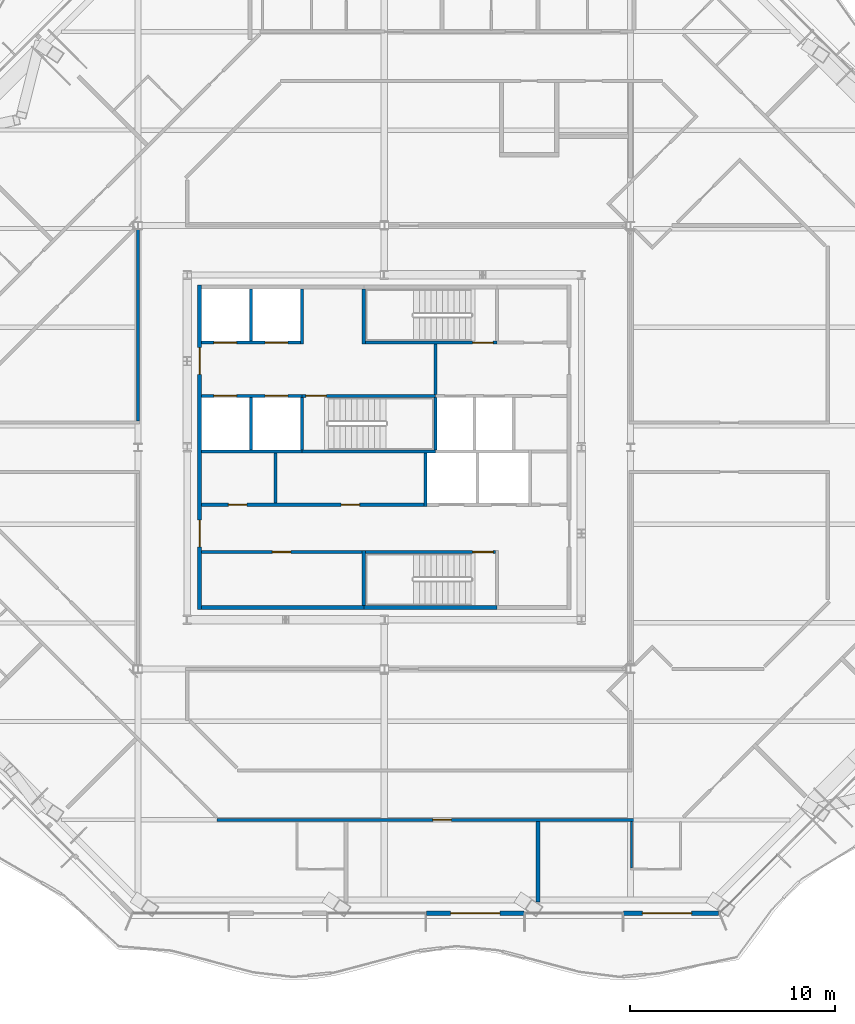
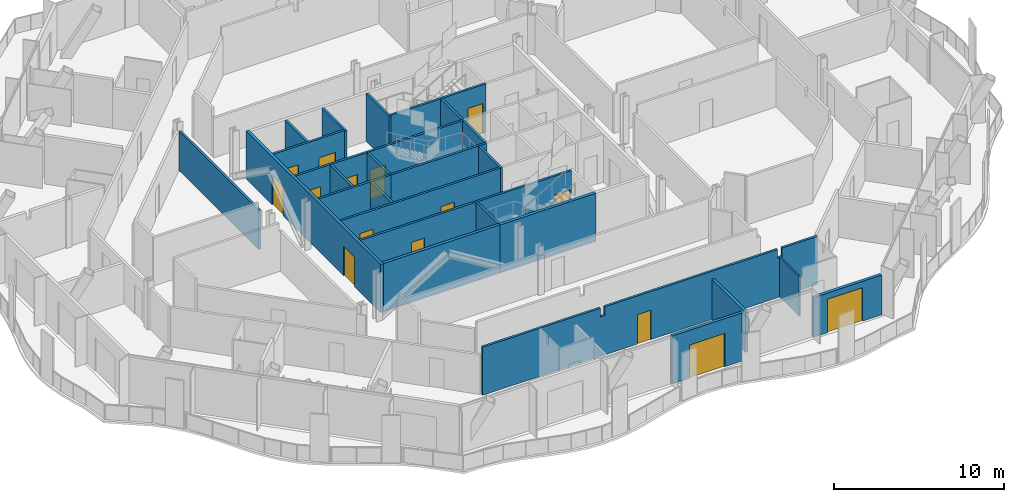
# One storey, part 8 of 21: 28 walls, 15 doors, 15 openings.
"""IFC4 building model written with IfcOpenShell, lengths in metres."""

from ifc_helpers import new_model, si_unit, direction, frame, frame_2d, origin, place, context, subcontext, project, spatial, polyline, rectangle, outline, extrude, material, layer, layer_set, type_object, element, fill, save


model = new_model("IFC4")

# Units and contexts
model_context = context("Model", 3, precision=1e-05, world=origin(), true_north=direction((0.0, 1.0)))
body_context = subcontext(model_context, "Body", "Model", "MODEL_VIEW")
ifc_project = project(units=[si_unit("LENGTHUNIT", "METRE"), si_unit("AREAUNIT", "SQUARE_METRE"), si_unit("VOLUMEUNIT", "CUBIC_METRE"), si_unit("PLANEANGLEUNIT", "RADIAN"), si_unit("MASSUNIT", "GRAM", prefix="KILO")], contexts=[model_context])

# Site, building, storey
site_placement = place(None, origin())
site = spatial("IfcSite", under=ifc_project, at=site_placement, CompositionType="ELEMENT")
building_placement = place(site_placement, origin())
building = spatial("IfcBuilding", under=site, at=building_placement, Name="Cairn Pilgrim Tower", CompositionType="ELEMENT")
storey_placement = place(building_placement, frame((0.0, 0.0, 183.0)))
storey = spatial("IfcBuildingStorey", under=building, at=storey_placement, Name="L46", CompositionType="ELEMENT", Elevation=183.0)

# Wall, opening, door
ifc_material_1 = material(Name="Bronze anodised aluminium insulated sandwich panel with mineral wool fill", Category="aluminium")
ifc_layer_1 = layer(ifc_material_1, 0.199951171875)
ifc_layer_set_1 = layer_set([ifc_layer_1], Name="BRONZE INFILL FRAME WALL 200")
wall_type_1 = type_object("IfcWallType", Name="BRONZE INFILL FRAME WALL 200", PredefinedType="NOTDEFINED", material=ifc_layer_set_1)
wall_1_placement = place(storey_placement, frame((9.2548828125, -20.300048828125, 0.0), z_axis=(0.0, 0.0, 1.0), x_axis=(1.0, 0.0, 0.0)))
wall_1 = element("IfcWall", 1, at=wall_1_placement, inside=storey, type_object=wall_type_1, Name="Bronze infill frame wall IW-S4", PredefinedType="NOTDEFINED", context=body_context, shape_type="SweptSolid", body=[
    extrude(rectangle(XDim=4.740234375, YDim=0.199951171875, at=frame_2d((2.3701171875, 0.0))), origin(), (0.0, 0.0, 1.0), 3.449951171875),
])
opening_1_placement = place(wall_1_placement, frame((1.169921875, 0.0, 0.0)))
opening_1 = element("IfcOpeningElement", 2, at=opening_1_placement, cuts=wall_1, Name="Opening 4601B", PredefinedType="OPENING", context=body_context, shape_type="SweptSolid", body=[
    extrude(rectangle(XDim=2.39990234375, YDim=2.39990234375, at=frame_2d((1.199951171875, 1.199951171875))), frame((0.0, 0.10986328125, 0.0), z_axis=(0.0, -1.0, 0.0), x_axis=(1.0, 0.0, 0.0)), (0.0, 0.0, 1.0), 0.219970703125),
])
ifc_material_2 = material(Name="Bronze anodised aluminium frame with tinted low-E glass", Category="aluminium")
door_type_1 = type_object("IfcDoorType", Name="BALCONY SLIDING DOOR 2400x2400", OperationType="DOUBLE_DOOR_SLIDING", PredefinedType="DOOR", material=ifc_material_2)
door_1_placement = place(opening_1_placement, origin())
door_1 = element("IfcDoor", 3, at=door_1_placement, inside=storey, type_object=door_type_1, Name="Balcony sliding door 4601B", OperationType="SINGLE_SWING_LEFT", OverallHeight=2.39990234375, OverallWidth=2.39990234375, PredefinedType="DOOR", context=body_context, shape_type="SweptSolid", body=[
    extrude(rectangle(XDim=2.39990234375, YDim=2.39990234375, at=frame_2d((1.199951171875, 1.199951171875))), frame((0.0, 0.02490234375, 0.0), z_axis=(0.0, -1.0, 0.0), x_axis=(1.0, 0.0, 0.0)), (0.0, 0.0, 1.0), 0.050048828125),
])
fill(opening_1, door_1)

wall_2_placement = place(storey_placement, frame((18.85498046875, -20.300048828125, 0.0), z_axis=(0.0, 0.0, 1.0), x_axis=(1.0, 0.0, 0.0)))
wall_2 = element("IfcWall", 4, at=wall_2_placement, inside=storey, type_object=wall_type_1, Name="Bronze infill frame wall IW-S6", PredefinedType="NOTDEFINED", context=body_context, shape_type="SweptSolid", body=[
    extrude(rectangle(XDim=4.62646484375, YDim=0.199951171875, at=frame_2d((2.313232421875, 0.0))), origin(), (0.0, 0.0, 1.0), 2.85009765625),
])
opening_2_placement = place(wall_2_placement, frame((0.918212890625, 0.0, 0.0)))
opening_2 = element("IfcOpeningElement", 5, at=opening_2_placement, cuts=wall_2, Name="Opening 4602B", PredefinedType="OPENING", context=body_context, shape_type="SweptSolid", body=[
    extrude(rectangle(XDim=2.39990234375, YDim=2.39990234375, at=frame_2d((1.199951171875, 1.199951171875))), frame((0.0, 0.10986328125, 0.0), z_axis=(0.0, -1.0, 0.0), x_axis=(1.0, 0.0, 0.0)), (0.0, 0.0, 1.0), 0.219970703125),
])
door_2_placement = place(opening_2_placement, origin())
door_2 = element("IfcDoor", 6, at=door_2_placement, inside=storey, type_object=door_type_1, Name="Balcony sliding door 4602B", OperationType="SINGLE_SWING_LEFT", OverallHeight=2.39990234375, OverallWidth=2.39990234375, PredefinedType="DOOR", context=body_context, shape_type="SweptSolid", body=[
    extrude(rectangle(XDim=2.39990234375, YDim=2.39990234375, at=frame_2d((1.199951171875, 1.199951171875))), frame((0.0, 0.02490234375, 0.0), z_axis=(0.0, -1.0, 0.0), x_axis=(1.0, 0.0, 0.0)), (0.0, 0.0, 1.0), 0.050048828125),
])
fill(opening_2, door_2)

# Wall
ifc_material_3 = material(Name="Concrete C32/40", Category="concrete")
ifc_layer_2 = layer(ifc_material_3, 0.199951171875)
ifc_layer_set_2 = layer_set([ifc_layer_2], Name="CORE OUTER WALL 200 EI 120")
wall_type_2 = type_object("IfcWallType", Name="CORE OUTER WALL 200 EI 120", PredefinedType="SOLIDWALL", material=ifc_layer_set_2)
wall_3_placement = place(storey_placement, frame((-1.699951171875, -5.39990234375, 0.0), z_axis=(0.0, 0.0, 1.0), x_axis=(1.0, 0.0, 0.0)))
element("IfcWall", 7, at=wall_3_placement, inside=storey, type_object=wall_type_2, Name="CW:L46:H01-1", PredefinedType="SOLIDWALL", context=body_context, shape_type="SweptSolid", body=[
    extrude(rectangle(XDim=7.89990234375, YDim=0.199951171875, at=frame_2d((3.949951171875, 0.0))), origin(), (0.0, 0.0, 1.0), 3.449951171875),
])

# Wall, openings, doors
wall_4_placement = place(storey_placement, frame((-1.800048828125, -5.5, 0.0), z_axis=(0.0, 0.0, 1.0), x_axis=(0.0, 1.0, 0.0)))
wall_4 = element("IfcWall", 8, at=wall_4_placement, inside=storey, type_object=wall_type_2, Name="CW:L46:V13", PredefinedType="SOLIDWALL", context=body_context, shape_type="SweptSolid", body=[
    extrude(rectangle(XDim=15.800048828125, YDim=0.199951171875, at=frame_2d((7.89990234375, 0.0))), origin(), (0.0, 0.0, 1.0), 3.449951171875),
])
opening_3_placement = place(wall_4_placement, frame((3.050048828125, 0.0, 0.0)))
opening_3 = element("IfcOpeningElement", 9, at=opening_3_placement, cuts=wall_4, Name="Opening CD-W1", PredefinedType="OPENING", context=body_context, shape_type="SweptSolid", body=[
    extrude(rectangle(XDim=1.300048828125, YDim=2.10009765625, at=frame_2d((0.64990234375, 1.050048828125))), frame((0.0, 0.10986328125, 0.0), z_axis=(0.0, -1.0, 0.0), x_axis=(1.0, 0.0, 0.0)), (0.0, 0.0, 1.0), 0.219970703125),
])
opening_4_placement = place(wall_4_placement, frame((11.449951171875, 0.0, 0.0)))
opening_4 = element("IfcOpeningElement", 10, at=opening_4_placement, cuts=wall_4, Name="Opening CD-W2", PredefinedType="OPENING", context=body_context, shape_type="SweptSolid", body=[
    extrude(rectangle(XDim=1.300048828125, YDim=2.10009765625, at=frame_2d((0.64990234375, 1.050048828125))), frame((0.0, 0.10986328125, 0.0), z_axis=(0.0, -1.0, 0.0), x_axis=(1.0, 0.0, 0.0)), (0.0, 0.0, 1.0), 0.219970703125),
])
ifc_material_4 = material(Name="Painted steel", Category="steel")
door_type_2 = type_object("IfcDoorType", Name="CORE LOBBY DOOR 1300x2100", OperationType="DOUBLE_DOOR_SINGLE_SWING", PredefinedType="DOOR", material=ifc_material_4)
door_3_placement = place(opening_3_placement, origin())
door_3 = element("IfcDoor", 11, at=door_3_placement, inside=storey, type_object=door_type_2, Name="CD-W1", OperationType="DOUBLE_DOOR_SINGLE_SWING", OverallHeight=2.10009765625, OverallWidth=1.300048828125, PredefinedType="DOOR", context=body_context, shape_type="SweptSolid", body=[
    extrude(rectangle(XDim=1.300048828125, YDim=2.10009765625, at=frame_2d((0.64990234375, 1.050048828125))), frame((0.0, 0.02490234375, 0.0), z_axis=(0.0, -1.0, 0.0), x_axis=(1.0, 0.0, 0.0)), (0.0, 0.0, 1.0), 0.050048828125),
])
fill(opening_3, door_3)
door_4_placement = place(opening_4_placement, origin())
door_4 = element("IfcDoor", 12, at=door_4_placement, inside=storey, type_object=door_type_2, Name="CD-W2", OperationType="DOUBLE_DOOR_SINGLE_SWING", OverallHeight=2.10009765625, OverallWidth=1.300048828125, PredefinedType="DOOR", context=body_context, shape_type="SweptSolid", body=[
    extrude(rectangle(XDim=1.300048828125, YDim=2.10009765625, at=frame_2d((0.64990234375, 1.050048828125))), frame((0.0, 0.02490234375, 0.0), z_axis=(0.0, -1.0, 0.0), x_axis=(1.0, 0.0, 0.0)), (0.0, 0.0, 1.0), 0.050048828125),
])
fill(opening_4, door_4)

# Wall, opening, door
ifc_layer_3 = layer(ifc_material_3, 0.14990234375)
ifc_layer_set_3 = layer_set([ifc_layer_3], Name="CORE PARTITION 150 EI 60")
wall_type_3 = type_object("IfcWallType", Name="CORE PARTITION 150 EI 60", PredefinedType="PARTITIONING", material=ifc_layer_set_3)
wall_5_placement = place(storey_placement, frame((-1.699951171875, -2.699951171875, 0.0), z_axis=(0.0, 0.0, 1.0), x_axis=(1.0, 0.0, 0.0)))
wall_5 = element("IfcWall", 13, at=wall_5_placement, inside=storey, type_object=wall_type_3, Name="CW:L46:H02", PredefinedType="PARTITIONING", context=body_context, shape_type="SweptSolid", body=[
    extrude(rectangle(XDim=7.824951171875, YDim=0.14990234375, at=frame_2d((3.91259765625, 0.0))), origin(), (0.0, 0.0, 1.0), 3.449951171875),
])
opening_5_placement = place(wall_5_placement, frame((3.449951171875, 0.0, 0.0)))
opening_5 = element("IfcOpeningElement", 14, at=opening_5_placement, cuts=wall_5, Name="Opening RD-R1W1", PredefinedType="OPENING", context=body_context, shape_type="SweptSolid", body=[
    extrude(rectangle(XDim=0.89990234375, YDim=2.10009765625, at=frame_2d((0.449951171875, 1.050048828125))), frame((0.0, 0.0849609375, 0.0), z_axis=(0.0, -1.0, 0.0), x_axis=(1.0, 0.0, 0.0)), (0.0, 0.0, 1.0), 0.169921875),
])
door_type_3 = type_object("IfcDoorType", Name="SERVICE ROOM DOOR 900x2100", OperationType="SINGLE_SWING_LEFT", PredefinedType="DOOR", material=ifc_material_4)
door_5_placement = place(opening_5_placement, origin())
door_5 = element("IfcDoor", 15, at=door_5_placement, inside=storey, type_object=door_type_3, Name="RD-R1W1", OperationType="SINGLE_SWING_LEFT", OverallHeight=2.10009765625, OverallWidth=0.89990234375, PredefinedType="DOOR", context=body_context, shape_type="SweptSolid", body=[
    extrude(rectangle(XDim=0.89990234375, YDim=2.10009765625, at=frame_2d((0.449951171875, 1.050048828125))), frame((0.0, 0.02490234375, 0.0), z_axis=(0.0, -1.0, 0.0), x_axis=(1.0, 0.0, 0.0)), (0.0, 0.0, 1.0), 0.050048828125),
])
fill(opening_5, door_5)

# Wall, openings, doors
wall_6_placement = place(storey_placement, frame((-1.699951171875, -0.39990234375, 0.0), z_axis=(0.0, 0.0, 1.0), x_axis=(1.0, 0.0, 0.0)))
wall_6 = element("IfcWall", 16, at=wall_6_placement, inside=storey, type_object=wall_type_3, Name="CW:L46:H04", PredefinedType="PARTITIONING", context=body_context, shape_type="SweptSolid", body=[
    extrude(rectangle(XDim=10.824951171875, YDim=0.14990234375, at=frame_2d((5.41259765625, 0.0))), origin(), (0.0, 0.0, 1.0), 3.449951171875),
])
opening_6_placement = place(wall_6_placement, frame((1.300048828125, 0.0, 0.0)))
opening_6 = element("IfcOpeningElement", 17, at=opening_6_placement, cuts=wall_6, Name="Opening RD-R2W1", PredefinedType="OPENING", context=body_context, shape_type="SweptSolid", body=[
    extrude(rectangle(XDim=0.89990234375, YDim=2.10009765625, at=frame_2d((0.449951171875, 1.050048828125))), frame((0.0, 0.0849609375, 0.0), z_axis=(0.0, -1.0, 0.0), x_axis=(1.0, 0.0, 0.0)), (0.0, 0.0, 1.0), 0.169921875),
])
opening_7_placement = place(wall_6_placement, frame((6.800048828125, 0.0, 0.0)))
opening_7 = element("IfcOpeningElement", 18, at=opening_7_placement, cuts=wall_6, Name="Opening RD-R2W2", PredefinedType="OPENING", context=body_context, shape_type="SweptSolid", body=[
    extrude(rectangle(XDim=0.89990234375, YDim=2.10009765625, at=frame_2d((0.449951171875, 1.050048828125))), frame((0.0, 0.0849609375, 0.0), z_axis=(0.0, -1.0, 0.0), x_axis=(1.0, 0.0, 0.0)), (0.0, 0.0, 1.0), 0.169921875),
])
door_6_placement = place(opening_6_placement, origin())
door_6 = element("IfcDoor", 19, at=door_6_placement, inside=storey, type_object=door_type_3, Name="RD-R2W1", OperationType="SINGLE_SWING_RIGHT", OverallHeight=2.10009765625, OverallWidth=0.89990234375, PredefinedType="DOOR", context=body_context, shape_type="SweptSolid", body=[
    extrude(rectangle(XDim=0.89990234375, YDim=2.10009765625, at=frame_2d((0.449951171875, 1.050048828125))), frame((0.0, 0.02490234375, 0.0), z_axis=(0.0, -1.0, 0.0), x_axis=(1.0, 0.0, 0.0)), (0.0, 0.0, 1.0), 0.050048828125),
])
fill(opening_6, door_6)
door_7_placement = place(opening_7_placement, origin())
door_7 = element("IfcDoor", 20, at=door_7_placement, inside=storey, type_object=door_type_3, Name="RD-R2W2", OperationType="SINGLE_SWING_LEFT", OverallHeight=2.10009765625, OverallWidth=0.89990234375, PredefinedType="DOOR", context=body_context, shape_type="SweptSolid", body=[
    extrude(rectangle(XDim=0.89990234375, YDim=2.10009765625, at=frame_2d((0.449951171875, 1.050048828125))), frame((0.0, 0.02490234375, 0.0), z_axis=(0.0, -1.0, 0.0), x_axis=(1.0, 0.0, 0.0)), (0.0, 0.0, 1.0), 0.050048828125),
])
fill(opening_7, door_7)

# Walls
wall_7_placement = place(storey_placement, frame((1.89990234375, -0.324951171875, 0.0), z_axis=(0.0, 0.0, 1.0), x_axis=(0.0, 1.0, 0.0)))
element("IfcWall", 21, at=wall_7_placement, inside=storey, type_object=wall_type_3, Name="CW:L46:V16", PredefinedType="PARTITIONING", context=body_context, shape_type="SweptSolid", body=[
    extrude(rectangle(XDim=2.449951171875, YDim=0.14990234375, at=frame_2d((1.22509765625, 0.0))), origin(), (0.0, 0.0, 1.0), 3.449951171875),
])
ifc_layer_4 = layer(ifc_material_3, 0.14990234375)
ifc_layer_set_4 = layer_set([ifc_layer_4], Name="CORE SHAFT WALL 150 EI 120")
wall_type_4 = type_object("IfcWallType", Name="CORE SHAFT WALL 150 EI 120", PredefinedType="SOLIDWALL", material=ifc_layer_set_4)
wall_8_placement = place(storey_placement, frame((-1.699951171875, 2.199951171875, 0.0), z_axis=(0.0, 0.0, 1.0), x_axis=(1.0, 0.0, 0.0)))
element("IfcWall", 22, at=wall_8_placement, inside=storey, type_object=wall_type_4, Name="CW:L46:H07-1", PredefinedType="SOLIDWALL", context=body_context, shape_type="SweptSolid", body=[
    extrude(rectangle(XDim=4.89990234375, YDim=0.14990234375, at=frame_2d((2.449951171875, 0.0))), origin(), (0.0, 0.0, 1.0), 3.449951171875),
])

# Wall, openings, doors
wall_9_placement = place(storey_placement, frame((-1.699951171875, 4.89990234375, 0.0), z_axis=(0.0, 0.0, 1.0), x_axis=(1.0, 0.0, 0.0)))
wall_9 = element("IfcWall", 23, at=wall_9_placement, inside=storey, type_object=wall_type_4, Name="CW:L46:H09-1", PredefinedType="SOLIDWALL", context=body_context, shape_type="SweptSolid", body=[
    extrude(rectangle(XDim=4.89990234375, YDim=0.14990234375, at=frame_2d((2.449951171875, 0.0))), origin(), (0.0, 0.0, 1.0), 3.449951171875),
])
opening_8_placement = place(wall_9_placement, frame((0.60009765625, 0.0, 0.0)))
opening_8 = element("IfcOpeningElement", 24, at=opening_8_placement, cuts=wall_9, Name="Opening LD-HR1", PredefinedType="OPENING", context=body_context, shape_type="SweptSolid", body=[
    extrude(rectangle(XDim=1.10009765625, YDim=2.10009765625, at=frame_2d((0.550048828125, 1.050048828125))), frame((0.0, 0.0849609375, 0.0), z_axis=(0.0, -1.0, 0.0), x_axis=(1.0, 0.0, 0.0)), (0.0, 0.0, 1.0), 0.169921875),
])
opening_9_placement = place(wall_9_placement, frame((3.10009765625, 0.0, 0.0)))
opening_9 = element("IfcOpeningElement", 25, at=opening_9_placement, cuts=wall_9, Name="Opening LD-HR2", PredefinedType="OPENING", context=body_context, shape_type="SweptSolid", body=[
    extrude(rectangle(XDim=1.10009765625, YDim=2.10009765625, at=frame_2d((0.550048828125, 1.050048828125))), frame((0.0, 0.0849609375, 0.0), z_axis=(0.0, -1.0, 0.0), x_axis=(1.0, 0.0, 0.0)), (0.0, 0.0, 1.0), 0.169921875),
])
ifc_material_5 = material(Name="Stainless steel", Category="steel")
door_type_4 = type_object("IfcDoorType", Name="LIFT LANDING DOOR 1100x2100", OperationType="DOUBLE_DOOR_SLIDING", PredefinedType="DOOR", material=ifc_material_5)
door_8_placement = place(opening_8_placement, origin())
door_8 = element("IfcDoor", 26, at=door_8_placement, inside=storey, type_object=door_type_4, Name="LANDING DOOR HR1", OperationType="DOUBLE_DOOR_SLIDING", OverallHeight=2.10009765625, OverallWidth=1.10009765625, PredefinedType="DOOR", context=body_context, shape_type="SweptSolid", body=[
    extrude(rectangle(XDim=1.10009765625, YDim=2.10009765625, at=frame_2d((0.550048828125, 1.050048828125))), frame((0.0, 0.02490234375, 0.0), z_axis=(0.0, -1.0, 0.0), x_axis=(1.0, 0.0, 0.0)), (0.0, 0.0, 1.0), 0.050048828125),
])
fill(opening_8, door_8)
door_9_placement = place(opening_9_placement, origin())
door_9 = element("IfcDoor", 27, at=door_9_placement, inside=storey, type_object=door_type_4, Name="LANDING DOOR HR2", OperationType="DOUBLE_DOOR_SLIDING", OverallHeight=2.10009765625, OverallWidth=1.10009765625, PredefinedType="DOOR", context=body_context, shape_type="SweptSolid", body=[
    extrude(rectangle(XDim=1.10009765625, YDim=2.10009765625, at=frame_2d((0.550048828125, 1.050048828125))), frame((0.0, 0.02490234375, 0.0), z_axis=(0.0, -1.0, 0.0), x_axis=(1.0, 0.0, 0.0)), (0.0, 0.0, 1.0), 0.050048828125),
])
fill(opening_9, door_9)

wall_10_placement = place(storey_placement, frame((-1.699951171875, 7.5, 0.0), z_axis=(0.0, 0.0, 1.0), x_axis=(1.0, 0.0, 0.0)))
wall_10 = element("IfcWall", 28, at=wall_10_placement, inside=storey, type_object=wall_type_4, Name="CW:L46:H10", PredefinedType="SOLIDWALL", context=body_context, shape_type="SweptSolid", body=[
    extrude(rectangle(XDim=4.824951171875, YDim=0.14990234375, at=frame_2d((2.41259765625, 0.0))), origin(), (0.0, 0.0, 1.0), 3.449951171875),
])
opening_10_placement = place(wall_10_placement, frame((0.60009765625, 0.0, 0.0)))
opening_10 = element("IfcOpeningElement", 29, at=opening_10_placement, cuts=wall_10, Name="Opening LD-HR3", PredefinedType="OPENING", context=body_context, shape_type="SweptSolid", body=[
    extrude(rectangle(XDim=1.10009765625, YDim=2.10009765625, at=frame_2d((0.550048828125, 1.050048828125))), frame((0.0, 0.0849609375, 0.0), z_axis=(0.0, -1.0, 0.0), x_axis=(1.0, 0.0, 0.0)), (0.0, 0.0, 1.0), 0.169921875),
])
opening_11_placement = place(wall_10_placement, frame((3.10009765625, 0.0, 0.0)))
opening_11 = element("IfcOpeningElement", 30, at=opening_11_placement, cuts=wall_10, Name="Opening LD-HR4", PredefinedType="OPENING", context=body_context, shape_type="SweptSolid", body=[
    extrude(rectangle(XDim=1.10009765625, YDim=2.10009765625, at=frame_2d((0.550048828125, 1.050048828125))), frame((0.0, 0.0849609375, 0.0), z_axis=(0.0, -1.0, 0.0), x_axis=(1.0, 0.0, 0.0)), (0.0, 0.0, 1.0), 0.169921875),
])
door_10_placement = place(opening_10_placement, origin())
door_10 = element("IfcDoor", 31, at=door_10_placement, inside=storey, type_object=door_type_4, Name="LANDING DOOR HR3", OperationType="DOUBLE_DOOR_SLIDING", OverallHeight=2.10009765625, OverallWidth=1.10009765625, PredefinedType="DOOR", context=body_context, shape_type="SweptSolid", body=[
    extrude(rectangle(XDim=1.10009765625, YDim=2.10009765625, at=frame_2d((0.550048828125, 1.050048828125))), frame((0.0, 0.02490234375, 0.0), z_axis=(0.0, -1.0, 0.0), x_axis=(1.0, 0.0, 0.0)), (0.0, 0.0, 1.0), 0.050048828125),
])
fill(opening_10, door_10)
door_11_placement = place(opening_11_placement, origin())
door_11 = element("IfcDoor", 32, at=door_11_placement, inside=storey, type_object=door_type_4, Name="LANDING DOOR HR4", OperationType="DOUBLE_DOOR_SLIDING", OverallHeight=2.10009765625, OverallWidth=1.10009765625, PredefinedType="DOOR", context=body_context, shape_type="SweptSolid", body=[
    extrude(rectangle(XDim=1.10009765625, YDim=2.10009765625, at=frame_2d((0.550048828125, 1.050048828125))), frame((0.0, 0.02490234375, 0.0), z_axis=(0.0, -1.0, 0.0), x_axis=(1.0, 0.0, 0.0)), (0.0, 0.0, 1.0), 0.050048828125),
])
fill(opening_11, door_11)

# Walls
wall_11_placement = place(storey_placement, frame((0.699951171875, 2.27490234375, 0.0), z_axis=(0.0, 0.0, 1.0), x_axis=(0.0, 1.0, 0.0)))
element("IfcWall", 33, at=wall_11_placement, inside=storey, type_object=wall_type_4, Name="CW:L46:V14", PredefinedType="SOLIDWALL", context=body_context, shape_type="SweptSolid", body=[
    extrude(rectangle(XDim=2.550048828125, YDim=0.14990234375, at=frame_2d((1.27490234375, 0.0))), origin(), (0.0, 0.0, 1.0), 3.449951171875),
])
wall_12_placement = place(storey_placement, frame((0.699951171875, 7.574951171875, 0.0), z_axis=(0.0, 0.0, 1.0), x_axis=(0.0, 1.0, 0.0)))
element("IfcWall", 34, at=wall_12_placement, inside=storey, type_object=wall_type_4, Name="CW:L46:V15", PredefinedType="SOLIDWALL", context=body_context, shape_type="SweptSolid", body=[
    extrude(rectangle(XDim=2.525146484375, YDim=0.14990234375, at=frame_2d((1.2626953125, 0.0))), origin(), (0.0, 0.0, 1.0), 3.449951171875),
])
wall_13_placement = place(storey_placement, frame((3.199951171875, 7.425048828125, 0.0), z_axis=(0.0, 0.0, 1.0), x_axis=(0.0, 1.0, 0.0)))
element("IfcWall", 35, at=wall_13_placement, inside=storey, type_object=wall_type_4, Name="CW:L46:V18", PredefinedType="SOLIDWALL", context=body_context, shape_type="SweptSolid", body=[
    extrude(rectangle(XDim=2.675048828125, YDim=0.14990234375, at=frame_2d((1.33740234375, 0.0))), origin(), (0.0, 0.0, 1.0), 3.449951171875),
])
wall_14_placement = place(storey_placement, frame((9.199951171875, -0.47509765625, 0.0), z_axis=(0.0, 0.0, 1.0), x_axis=(0.0, 1.0, 0.0)))
element("IfcWall", 36, at=wall_14_placement, inside=storey, type_object=wall_type_4, Name="CW:L46:V21", PredefinedType="SOLIDWALL", context=body_context, shape_type="SweptSolid", body=[
    extrude(rectangle(XDim=2.60009765625, YDim=0.14990234375, at=frame_2d((1.300048828125, 0.0))), origin(), (0.0, 0.0, 1.0), 3.449951171875),
])
wall_15_placement = place(storey_placement, frame((9.699951171875, 4.97509765625, 0.0), z_axis=(0.0, 0.0, 1.0), x_axis=(0.0, 1.0, 0.0)))
element("IfcWall", 37, at=wall_15_placement, inside=storey, type_object=wall_type_4, Name="CW:L46:V23", PredefinedType="SOLIDWALL", context=body_context, shape_type="SweptSolid", body=[
    extrude(rectangle(XDim=2.449951171875, YDim=0.14990234375, at=frame_2d((1.22509765625, 0.0))), origin(), (0.0, 0.0, 1.0), 3.449951171875),
])
ifc_material_6 = material(Name="Gypsum partition")
ifc_layer_5 = layer(ifc_material_6, 0.10009765625)
ifc_layer_set_5 = layer_set([ifc_layer_5], Name="PARTITION 100 DRYWALL")
wall_type_5 = type_object("IfcWallType", Name="PARTITION 100 DRYWALL", PredefinedType="PARTITIONING", material=ifc_layer_set_5)
wall_16_placement = place(storey_placement, frame((19.237060546875, -18.10009765625, 0.0), z_axis=(0.0, 0.0, 1.0), x_axis=(0.0, 1.0, 0.0)))
element("IfcWall", 38, at=wall_16_placement, inside=storey, type_object=wall_type_5, Name="PARTITION W006", PredefinedType="PARTITIONING", context=body_context, shape_type="SweptSolid", body=[
    extrude(rectangle(XDim=2.275146484375, YDim=0.10009765625, at=frame_2d((1.1376953125, 0.0))), origin(), (0.0, 0.0, 1.0), 2.830078125),
])

# Wall, opening, door
ifc_layer_6 = layer(ifc_material_6, 0.14990234375)
ifc_layer_set_6 = layer_set([ifc_layer_6], Name="PARTITION 150 DRYWALL EI 60")
wall_type_6 = type_object("IfcWallType", Name="PARTITION 150 DRYWALL EI 60", PredefinedType="PARTITIONING", material=ifc_layer_set_6)
wall_17_placement = place(storey_placement, frame((-0.9501953125, -15.75, 0.0), z_axis=(0.0, 0.0, 1.0), x_axis=(1.0, 0.0, 0.0)))
wall_17 = element("IfcWall", 39, at=wall_17_placement, inside=storey, type_object=wall_type_6, Name="PARTITION W009", PredefinedType="PARTITIONING", context=body_context, shape_type="SweptSolid", body=[
    extrude(outline(polyline([(0.0, 0.0), (22.693115234375, 0.0), (22.693115234375, 3.449951171875), (20.300048828125, 3.449951171875), (20.298095703125, 2.830078125), (20.0, 2.830078125), (19.998046875, 3.449951171875), (8.300048828125, 3.449951171875), (8.298095703125, 2.830078125), (8.0, 2.830078125), (7.998046875, 3.449951171875), (0.0, 3.449951171875), (0.0, 0.0)])), frame((0.0, 0.074951171875, 0.0), z_axis=(0.0, -1.0, 0.0), x_axis=(1.0, 0.0, 0.0)), (0.0, 0.0, 1.0), 0.14990234375),
])
opening_12_placement = place(wall_17_placement, frame((10.511962890625, 0.0, 0.0)))
opening_12 = element("IfcOpeningElement", 40, at=opening_12_placement, cuts=wall_17, Name="Opening 4601", PredefinedType="OPENING", context=body_context, shape_type="SweptSolid", body=[
    extrude(rectangle(XDim=0.89990234375, YDim=2.10009765625, at=frame_2d((0.449951171875, 1.050048828125))), frame((0.0, 0.0849609375, 0.0), z_axis=(0.0, -1.0, 0.0), x_axis=(1.0, 0.0, 0.0)), (0.0, 0.0, 1.0), 0.169921875),
])
ifc_material_7 = material(Name="Timber door leaf", Category="wood")
door_type_5 = type_object("IfcDoorType", Name="SERVICE DOOR 900x2100 FD30S", OperationType="NOTDEFINED", PredefinedType="DOOR", material=ifc_material_7)
door_12_placement = place(opening_12_placement, frame((0.89990234375, 0.0, 0.0), z_axis=(0.0, 0.0, 1.0), x_axis=(-1.0, 0.0, 0.0)))
door_12 = element("IfcDoor", 41, at=door_12_placement, inside=storey, type_object=door_type_5, Name="DOOR 4601", OperationType="SINGLE_SWING_RIGHT", OverallHeight=2.10009765625, OverallWidth=0.89990234375, PredefinedType="DOOR", context=body_context, shape_type="SweptSolid", body=[
    extrude(rectangle(XDim=0.89990234375, YDim=2.10009765625, at=frame_2d((0.449951171875, 1.050048828125))), frame((0.0, 0.02490234375, 0.0), z_axis=(0.0, -1.0, 0.0), x_axis=(1.0, 0.0, 0.0)), (0.0, 0.0, 1.0), 0.050048828125),
])
fill(opening_12, door_12)

# Walls
wall_18_placement = place(storey_placement, frame((-4.800048828125, 3.675048828125, 0.0), z_axis=(0.0, 0.0, 1.0), x_axis=(0.0, 1.0, 0.0)))
element("IfcWall", 42, at=wall_18_placement, inside=storey, type_object=wall_type_6, Name="PARTITION W054", PredefinedType="PARTITIONING", context=body_context, shape_type="SweptSolid", body=[
    extrude(rectangle(XDim=9.328369140625, YDim=0.14990234375, at=frame_2d((4.6640625, 0.0))), origin(), (0.0, 0.0, 1.0), 2.830078125),
])
ifc_layer_7 = layer(ifc_material_6, 0.199951171875)
ifc_layer_set_7 = layer_set([ifc_layer_7], Name="SHAFT WALL 200 GYPSUM EI 60")
wall_type_7 = type_object("IfcWallType", Name="SHAFT WALL 200 GYPSUM EI 60", PredefinedType="PARTITIONING", material=ifc_layer_set_7)
wall_19_placement = place(storey_placement, frame((14.68798828125, -19.75927734375, 0.0), z_axis=(0.0, 0.0, 1.0), x_axis=(0.0, 1.0, 0.0)))
element("IfcWall", 43, at=wall_19_placement, inside=storey, type_object=wall_type_7, Name="PARTITION W002", PredefinedType="PARTITIONING", context=body_context, shape_type="SweptSolid", body=[
    extrude(outline(polyline([(0.01171875, 0.0), (3.93408203125, 0.0), (3.93408203125, 0.862548828125), (3.93408203125, 1.72509765625), (3.93408203125, 2.58740234375), (3.93408203125, 2.8798828125), (0.0, 2.8798828125), (0.0, 2.58740234375), (0.0, 1.72509765625), (0.01171875, 0.862548828125), (0.01171875, 0.0)])), frame((0.0, 0.10009765625, 0.0), z_axis=(0.0, -1.0, 0.0), x_axis=(1.0, 0.0, 0.0)), (0.0, 0.0, 1.0), 0.199951171875),
])

# Wall, opening, door
ifc_material_8 = material(Name="Concrete C35/45", Category="concrete")
ifc_layer_8 = layer(ifc_material_8, 0.14990234375)
ifc_layer_set_8 = layer_set([ifc_layer_8], Name="STAIR SHAFT WALL 150 EI 120")
wall_type_8 = type_object("IfcWallType", Name="STAIR SHAFT WALL 150 EI 120", PredefinedType="SOLIDWALL", material=ifc_layer_set_8)
wall_20_placement = place(storey_placement, frame((6.27490234375, -2.699951171875, 0.0), z_axis=(0.0, 0.0, 1.0), x_axis=(1.0, 0.0, 0.0)))
wall_20 = element("IfcWall", 44, at=wall_20_placement, inside=storey, type_object=wall_type_8, Name="CW:L46:H03", PredefinedType="SOLIDWALL", context=body_context, shape_type="SweptSolid", body=[
    extrude(rectangle(XDim=6.35009765625, YDim=0.14990234375, at=frame_2d((3.175048828125, 0.0))), origin(), (0.0, 0.0, 1.0), 3.449951171875),
])
opening_13_placement = place(wall_20_placement, frame((5.22509765625, 0.0, 0.0)))
opening_13 = element("IfcOpeningElement", 45, at=opening_13_placement, cuts=wall_20, Name="Opening SD-A", PredefinedType="OPENING", context=body_context, shape_type="SweptSolid", body=[
    extrude(rectangle(XDim=1.0, YDim=2.10009765625, at=frame_2d((0.5, 1.050048828125))), frame((0.0, 0.0849609375, 0.0), z_axis=(0.0, -1.0, 0.0), x_axis=(1.0, 0.0, 0.0)), (0.0, 0.0, 1.0), 0.169921875),
])
door_type_6 = type_object("IfcDoorType", Name="STAIR DOOR FD60S 1000x2100", OperationType="SINGLE_SWING_LEFT", PredefinedType="DOOR", material=ifc_material_4)
door_13_placement = place(opening_13_placement, origin())
door_13 = element("IfcDoor", 46, at=door_13_placement, inside=storey, type_object=door_type_6, Name="SD-A", OperationType="SINGLE_SWING_LEFT", OverallHeight=2.10009765625, OverallWidth=1.0, PredefinedType="DOOR", context=body_context, shape_type="SweptSolid", body=[
    extrude(rectangle(XDim=1.0, YDim=2.10009765625, at=frame_2d((0.5, 1.050048828125))), frame((0.0, 0.02490234375, 0.0), z_axis=(0.0, -1.0, 0.0), x_axis=(1.0, 0.0, 0.0)), (0.0, 0.0, 1.0), 0.050048828125),
])
fill(opening_13, door_13)

# Wall
wall_21_placement = place(storey_placement, frame((3.199951171875, 2.199951171875, 0.0), z_axis=(0.0, 0.0, 1.0), x_axis=(1.0, 0.0, 0.0)))
element("IfcWall", 47, at=wall_21_placement, inside=storey, type_object=wall_type_8, Name="CW:L46:H07-2", PredefinedType="SOLIDWALL", context=body_context, shape_type="SweptSolid", body=[
    extrude(rectangle(XDim=6.5, YDim=0.14990234375, at=frame_2d((3.25, 0.0))), origin(), (0.0, 0.0, 1.0), 3.449951171875),
])

# Wall, opening, door
wall_22_placement = place(storey_placement, frame((3.199951171875, 4.89990234375, 0.0), z_axis=(0.0, 0.0, 1.0), x_axis=(1.0, 0.0, 0.0)))
wall_22 = element("IfcWall", 48, at=wall_22_placement, inside=storey, type_object=wall_type_8, Name="CW:L46:H09-2", PredefinedType="SOLIDWALL", context=body_context, shape_type="SweptSolid", body=[
    extrude(rectangle(XDim=6.5, YDim=0.14990234375, at=frame_2d((3.25, 0.0))), origin(), (0.0, 0.0, 1.0), 3.449951171875),
])
opening_14_placement = place(wall_22_placement, frame((0.175048828125, 0.0, 0.0)))
opening_14 = element("IfcOpeningElement", 49, at=opening_14_placement, cuts=wall_22, Name="Opening SD-B", PredefinedType="OPENING", context=body_context, shape_type="SweptSolid", body=[
    extrude(rectangle(XDim=1.0, YDim=2.10009765625, at=frame_2d((0.5, 1.050048828125))), frame((0.0, 0.0849609375, 0.0), z_axis=(0.0, -1.0, 0.0), x_axis=(1.0, 0.0, 0.0)), (0.0, 0.0, 1.0), 0.169921875),
])
door_14_placement = place(opening_14_placement, origin())
door_14 = element("IfcDoor", 50, at=door_14_placement, inside=storey, type_object=door_type_6, Name="SD-B", OperationType="SINGLE_SWING_RIGHT", OverallHeight=2.10009765625, OverallWidth=1.0, PredefinedType="DOOR", context=body_context, shape_type="SweptSolid", body=[
    extrude(rectangle(XDim=1.0, YDim=2.10009765625, at=frame_2d((0.5, 1.050048828125))), frame((0.0, 0.02490234375, 0.0), z_axis=(0.0, -1.0, 0.0), x_axis=(1.0, 0.0, 0.0)), (0.0, 0.0, 1.0), 0.050048828125),
])
fill(opening_14, door_14)

wall_23_placement = place(storey_placement, frame((6.27490234375, 7.5, 0.0), z_axis=(0.0, 0.0, 1.0), x_axis=(1.0, 0.0, 0.0)))
wall_23 = element("IfcWall", 51, at=wall_23_placement, inside=storey, type_object=wall_type_8, Name="CW:L46:H11-1", PredefinedType="SOLIDWALL", context=body_context, shape_type="SweptSolid", body=[
    extrude(rectangle(XDim=6.425048828125, YDim=0.14990234375, at=frame_2d((3.21240234375, 0.0))), origin(), (0.0, 0.0, 1.0), 3.449951171875),
])
opening_15_placement = place(wall_23_placement, frame((5.22509765625, 0.0, 0.0)))
opening_15 = element("IfcOpeningElement", 52, at=opening_15_placement, cuts=wall_23, Name="Opening SD-C", PredefinedType="OPENING", context=body_context, shape_type="SweptSolid", body=[
    extrude(rectangle(XDim=1.0, YDim=2.10009765625, at=frame_2d((0.5, 1.050048828125))), frame((0.0, 0.0849609375, 0.0), z_axis=(0.0, -1.0, 0.0), x_axis=(1.0, 0.0, 0.0)), (0.0, 0.0, 1.0), 0.169921875),
])
door_15_placement = place(opening_15_placement, origin())
door_15 = element("IfcDoor", 53, at=door_15_placement, inside=storey, type_object=door_type_6, Name="SD-C", OperationType="SINGLE_SWING_LEFT", OverallHeight=2.10009765625, OverallWidth=1.0, PredefinedType="DOOR", context=body_context, shape_type="SweptSolid", body=[
    extrude(rectangle(XDim=1.0, YDim=2.10009765625, at=frame_2d((0.5, 1.050048828125))), frame((0.0, 0.02490234375, 0.0), z_axis=(0.0, -1.0, 0.0), x_axis=(1.0, 0.0, 0.0)), (0.0, 0.0, 1.0), 0.050048828125),
])
fill(opening_15, door_15)

# Walls
wall_24_placement = place(storey_placement, frame((3.199951171875, 2.27490234375, 0.0), z_axis=(0.0, 0.0, 1.0), x_axis=(0.0, 1.0, 0.0)))
element("IfcWall", 54, at=wall_24_placement, inside=storey, type_object=wall_type_8, Name="CW:L46:V17", PredefinedType="SOLIDWALL", context=body_context, shape_type="SweptSolid", body=[
    extrude(rectangle(XDim=2.550048828125, YDim=0.14990234375, at=frame_2d((1.27490234375, 0.0))), origin(), (0.0, 0.0, 1.0), 3.449951171875),
])
for number, where, z_axis, x_axis, name in (
    (55, (6.199951171875, -5.300048828125, 0.0), (0.0, 0.0, 1.0), (0.0, 1.0, 0.0), "CW:L46:V19"),
    (56, (6.199951171875, 7.425048828125, 0.0), (0.0, 0.0, 1.0), (0.0, 1.0, 0.0), "CW:L46:V20"),
):
    element("IfcWall", number, at=place(storey_placement, frame(where, z_axis=z_axis, x_axis=x_axis)), inside=storey, type_object=wall_type_8, Name=name, PredefinedType="SOLIDWALL", context=body_context, shape_type="SweptSolid", body=[
        extrude(rectangle(XDim=2.675048828125, YDim=0.14990234375, at=frame_2d((1.33740234375, 0.0))), origin(), (0.0, 0.0, 1.0), 3.449951171875),
    ])
wall_25_placement = place(storey_placement, frame((9.699951171875, 2.27490234375, 0.0), z_axis=(0.0, 0.0, 1.0), x_axis=(0.0, 1.0, 0.0)))
element("IfcWall", 57, at=wall_25_placement, inside=storey, type_object=wall_type_8, Name="CW:L46:V22", PredefinedType="SOLIDWALL", context=body_context, shape_type="SweptSolid", body=[
    extrude(rectangle(XDim=2.550048828125, YDim=0.14990234375, at=frame_2d((1.27490234375, 0.0))), origin(), (0.0, 0.0, 1.0), 3.449951171875),
])
ifc_layer_9 = layer(ifc_material_8, 0.199951171875)
ifc_layer_set_9 = layer_set([ifc_layer_9], Name="STAIR SHAFT WALL 200 EI 120")
wall_type_9 = type_object("IfcWallType", Name="STAIR SHAFT WALL 200 EI 120", PredefinedType="SOLIDWALL", material=ifc_layer_set_9)
wall_26_placement = place(storey_placement, frame((6.199951171875, -5.39990234375, 0.0), z_axis=(0.0, 0.0, 1.0), x_axis=(1.0, 0.0, 0.0)))
element("IfcWall", 58, at=wall_26_placement, inside=storey, type_object=wall_type_9, Name="CW:L46:H01-2", PredefinedType="SOLIDWALL", context=body_context, shape_type="SweptSolid", body=[
    extrude(rectangle(XDim=6.5, YDim=0.199951171875, at=frame_2d((3.25, 0.0))), origin(), (0.0, 0.0, 1.0), 3.449951171875),
])

save(model, "model.ifc")
